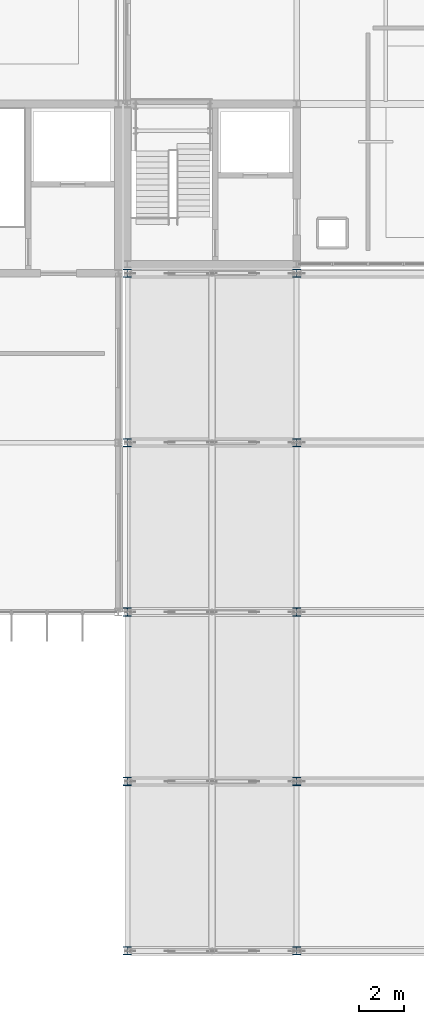
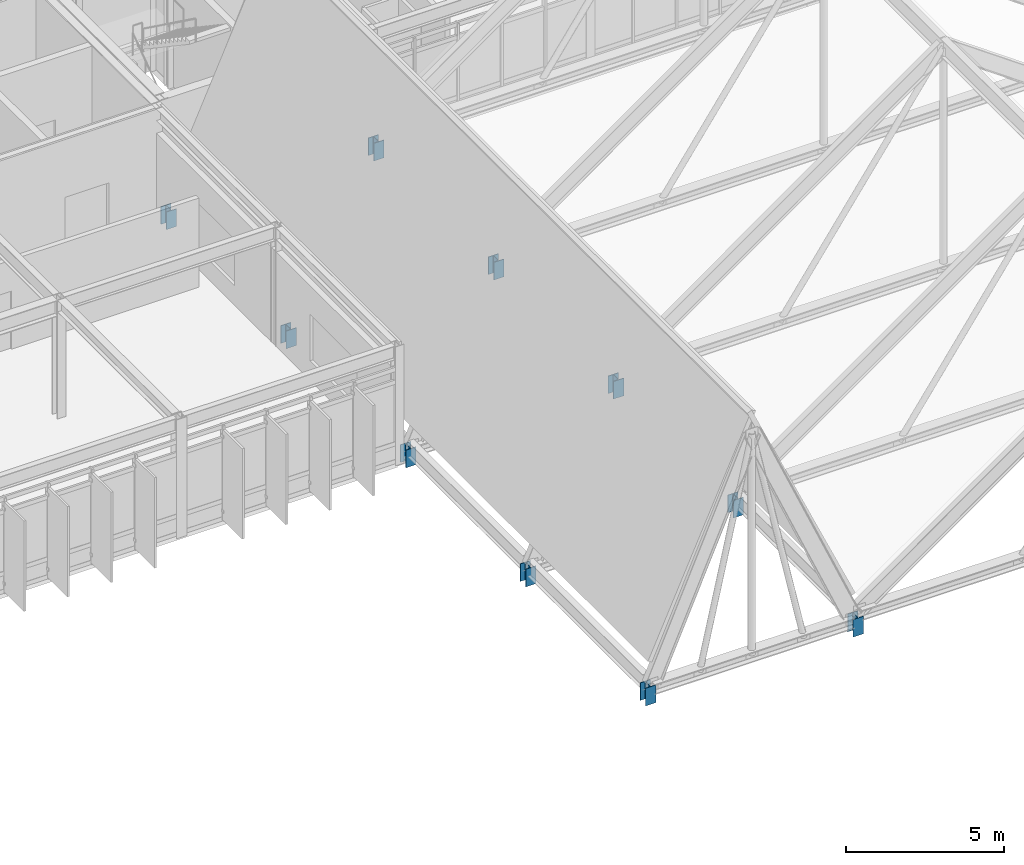
# One storey, part 17 of 100: 10 columns.
"""IFC4 building model written with IfcOpenShell, lengths in metres."""

from ifc_helpers import new_model, si_unit, direction, frame, origin, origin_2d, place, context, subcontext, project, spatial, i_section, extrude, material, material_profile, profile_set, type_object, element, save


model = new_model("IFC4")

# Units and contexts
model_context = context("Model", 3, precision=1e-05, world=origin(), true_north=direction((0.0, 1.0)))
body_context = subcontext(model_context, "Body", "Model", "MODEL_VIEW")
ifc_project = project(units=[si_unit("LENGTHUNIT", "METRE"), si_unit("AREAUNIT", "SQUARE_METRE"), si_unit("VOLUMEUNIT", "CUBIC_METRE"), si_unit("PLANEANGLEUNIT", "RADIAN"), si_unit("MASSUNIT", "GRAM", prefix="KILO")], contexts=[model_context])

# Site, building, storey
site_placement = place(None, origin())
site = spatial("IfcSite", under=ifc_project, at=site_placement, CompositionType="ELEMENT")
building_placement = place(site_placement, origin())
building = spatial("IfcBuilding", under=site, at=building_placement, Name="Zulena Civic Courthouse", CompositionType="ELEMENT")
storey_placement = place(building_placement, frame((0.0, 0.0, 20.39990234375)))
storey = spatial("IfcBuildingStorey", under=building, at=storey_placement, Name="L04", CompositionType="ELEMENT", Elevation=20.39990234375)

# Columns
ifc_material = material(Name="Steel ASTM A992 Grade 50", Category="steel")
ifc_material_profile = material_profile(ifc_material, i_section(OverallWidth=0.373046875, OverallDepth=0.367919921875, WebThickness=0.014892578125, FlangeThickness=0.02392578125, FilletRadius=0.01513671875, at=origin_2d()), Name="W14X120")
ifc_profile_set = profile_set([ifc_material_profile], Name="Steel ASTM A992 Grade 50")
column_type = type_object("IfcColumnType", Name="Col_W14X120", PredefinedType="COLUMN", material=ifc_profile_set)
for number, where, z_axis, x_axis, name in (
    (1, (124.39990234375, 0.0, -0.19482421875), (0.0, 0.0, 1.0), (1.0, 0.0, 0.0), "col:foldV:L04:124.4:0.0"),
    (2, (132.0, 0.0, -0.19482421875), (0.0, 0.0, 1.0), (1.0, 0.0, 0.0), "col:foldV:L04:132.0:0.0"),
    (3, (124.39990234375, 7.60009765625, -0.19482421875), (0.0, 0.0, 1.0), (1.0, 0.0, 0.0), "col:foldV:L04:124.4:7.6"),
    (4, (132.0, 7.60009765625, -0.19482421875), (0.0, 0.0, 1.0), (1.0, 0.0, 0.0), "col:foldV:L04:132.0:7.6"),
    (5, (124.39990234375, 15.199951171875, -0.19482421875), (0.0, 0.0, 1.0), (1.0, 0.0, 0.0), "col:foldV:L04:124.4:15.2"),
    (6, (132.0, 15.199951171875, -0.19482421875), (0.0, 0.0, 1.0), (1.0, 0.0, 0.0), "col:foldV:L04:132.0:15.2"),
    (7, (124.39990234375, 22.800048828125, -0.19482421875), (0.0, 0.0, 1.0), (1.0, 0.0, 0.0), "col:foldV:L04:124.4:22.8"),
    (8, (132.0, 22.800048828125, -0.19482421875), (0.0, 0.0, 1.0), (1.0, 0.0, 0.0), "col:foldV:L04:132.0:22.8"),
    (9, (124.39990234375, 30.39990234375, -0.19482421875), (0.0, 0.0, 1.0), (1.0, 0.0, 0.0), "col:foldV:L04:124.4:30.4"),
    (10, (132.0, 30.39990234375, -0.19482421875), (0.0, 0.0, 1.0), (1.0, 0.0, 0.0), "col:foldV:L04:132.0:30.4"),
):
    element("IfcColumn", number, at=place(storey_placement, frame(where, z_axis=z_axis, x_axis=x_axis)), inside=storey, type_object=column_type, Name=name, PredefinedType="COLUMN", context=body_context, shape_type="SweptSolid", body=[
        extrude(i_section(OverallWidth=0.373046875, OverallDepth=0.367919921875, WebThickness=0.014892578125, FlangeThickness=0.02392578125, FilletRadius=0.01513671875, at=origin_2d()), origin(), (0.0, 0.0, 1.0), 0.680419921875),
    ])

save(model, "model.ifc")
